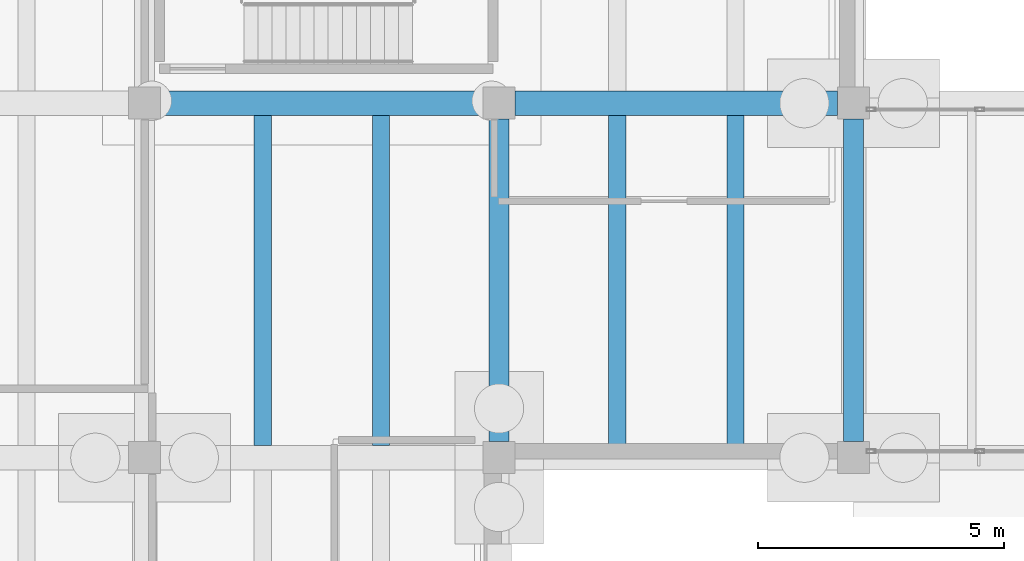
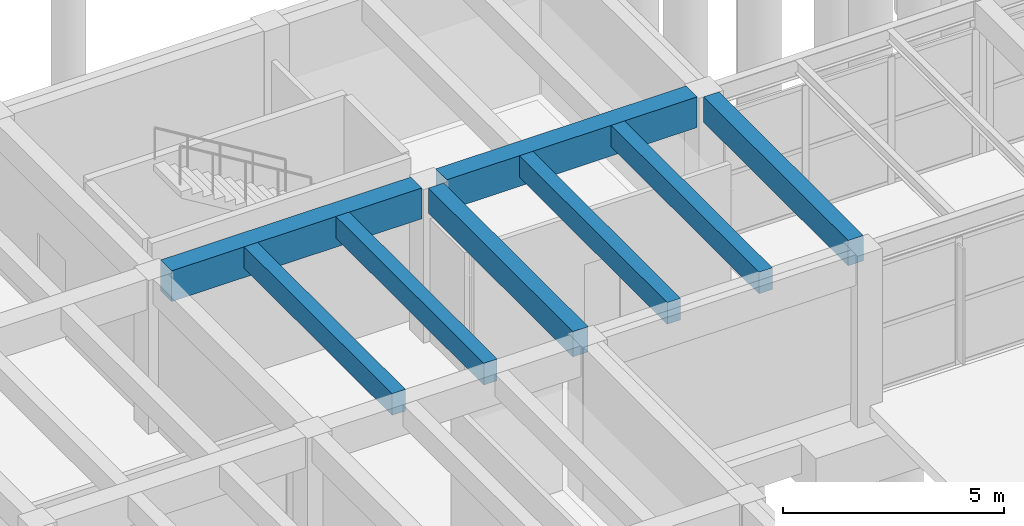
# One storey, part 8 of 28: 8 beams.
"""IFC4 building model written with IfcOpenShell, lengths in metres."""

from ifc_helpers import new_model, si_unit, direction, frame, origin, origin_2d, place, context, subcontext, project, spatial, rectangle, extrude, material, material_profile, profile_set, type_object, element, save


model = new_model("IFC4")

# Units and contexts
model_context = context("Model", 3, precision=1e-05, world=origin(), true_north=direction((0.0, 1.0)))
body_context = subcontext(model_context, "Body", "Model", "MODEL_VIEW")
ifc_project = project(units=[si_unit("LENGTHUNIT", "METRE"), si_unit("AREAUNIT", "SQUARE_METRE"), si_unit("VOLUMEUNIT", "CUBIC_METRE"), si_unit("PLANEANGLEUNIT", "RADIAN"), si_unit("MASSUNIT", "GRAM", prefix="KILO")], contexts=[model_context])

# Site, building, storey
site_placement = place(None, origin())
site = spatial("IfcSite", under=ifc_project, at=site_placement, CompositionType="ELEMENT")
building_placement = place(site_placement, origin())
building = spatial("IfcBuilding", under=site, at=building_placement, Name="Bramvelor Terrace Health Centre", CompositionType="ELEMENT")
storey_placement = place(building_placement, frame((0.0, 0.0, -4.5)))
storey = spatial("IfcBuildingStorey", under=building, at=storey_placement, Name="B1", CompositionType="ELEMENT", Elevation=-4.5)

# Beams
ifc_material_1 = material(Name="Concrete C40/50", Category="concrete")
ifc_material_profile_1 = material_profile(ifc_material_1, rectangle(XDim=0.39990234375, YDim=0.699951171875, at=origin_2d()), Name="RC 400x700")
ifc_profile_set_1 = profile_set([ifc_material_profile_1], Name="Concrete C40/50")
beam_type_1 = type_object("IfcBeamType", Name="BM-RC-G700", PredefinedType="BEAM", material=ifc_profile_set_1)
for number, where, z_axis, x_axis, name in (
    (1, (21.60009765625, 50.72509765625, 3.89990234375), (0.0, 1.0, 0.0), (-1.0, 0.0, 0.0), "B1 Floor Girder"),
    (2, (28.800048828125, 50.72509765625, 3.89990234375), (0.0, 1.0, 0.0), (-1.0, 0.0, 0.0), "B1 Floor Girder"),
):
    element("IfcBeam", number, at=place(storey_placement, frame(where, z_axis=z_axis, x_axis=x_axis)), inside=storey, type_object=beam_type_1, Name=name, PredefinedType="BEAM", context=body_context, shape_type="SweptSolid", body=[
        extrude(rectangle(XDim=0.39990234375, YDim=0.699951171875, at=origin_2d()), origin(), (0.0, 0.0, 1.0), 6.5498046875),
    ])
ifc_material_2 = material(Name="Concrete C40/50", Category="concrete")
ifc_material_profile_2 = material_profile(ifc_material_2, rectangle(XDim=0.5, YDim=0.85009765625, at=origin_2d()), Name="RC 500x850")
ifc_profile_set_2 = profile_set([ifc_material_profile_2], Name="Concrete C40/50")
beam_type_2 = type_object("IfcBeamType", Name="BM-RC-G850", PredefinedType="BEAM", material=ifc_profile_set_2)
beam_1_placement = place(storey_placement, frame((14.72509765625, 57.60009765625, 3.824951171875), z_axis=(1.0, 0.0, 0.0), x_axis=(0.0, 1.0, 0.0)))
element("IfcBeam", 3, at=beam_1_placement, inside=storey, type_object=beam_type_2, Name="B1 Floor Girder", PredefinedType="BEAM", context=body_context, shape_type="SweptSolid", body=[
    extrude(rectangle(XDim=0.5, YDim=0.85009765625, at=origin_2d()), origin(), (0.0, 0.0, 1.0), 6.5498046875),
])
beam_2_placement = place(storey_placement, frame((21.925048828125, 57.60009765625, 3.824951171875), z_axis=(1.0, 0.0, 0.0), x_axis=(0.0, 1.0, 0.0)))
element("IfcBeam", 4, at=beam_2_placement, inside=storey, type_object=beam_type_2, Name="B1 Floor Girder", PredefinedType="BEAM", context=body_context, shape_type="SweptSolid", body=[
    extrude(rectangle(XDim=0.5, YDim=0.85009765625, at=origin_2d()), origin(), (0.0, 0.0, 1.0), 6.550048828125),
])
ifc_material_3 = material(Name="Concrete C40/50", Category="concrete")
ifc_material_profile_3 = material_profile(ifc_material_3, rectangle(XDim=0.35009765625, YDim=0.60009765625, at=origin_2d()), Name="RC 350x600")
ifc_profile_set_3 = profile_set([ifc_material_profile_3], Name="Concrete C40/50")
beam_type_3 = type_object("IfcBeamType", Name="BM-RC-J600", PredefinedType="JOIST", material=ifc_profile_set_3)
for number, where, z_axis, x_axis, name in (
    (5, (16.800048828125, 50.64990234375, 3.949951171875), (0.0, 1.0, 0.0), (-1.0, 0.0, 0.0), "B1 Secondary Floor Joist"),
    (6, (19.199951171875, 50.64990234375, 3.949951171875), (0.0, 1.0, 0.0), (-1.0, 0.0, 0.0), "B1 Secondary Floor Joist"),
    (7, (24.0, 50.64990234375, 3.949951171875), (0.0, 1.0, 0.0), (-1.0, 0.0, 0.0), "B1 Secondary Floor Joist"),
    (8, (26.39990234375, 50.64990234375, 3.949951171875), (0.0, 1.0, 0.0), (-1.0, 0.0, 0.0), "B1 Secondary Floor Joist"),
):
    element("IfcBeam", number, at=place(storey_placement, frame(where, z_axis=z_axis, x_axis=x_axis)), inside=storey, type_object=beam_type_3, Name=name, PredefinedType="JOIST", context=body_context, shape_type="SweptSolid", body=[
        extrude(rectangle(XDim=0.35009765625, YDim=0.60009765625, at=origin_2d()), origin(), (0.0, 0.0, 1.0), 6.7001953125),
    ])

save(model, "model.ifc")
